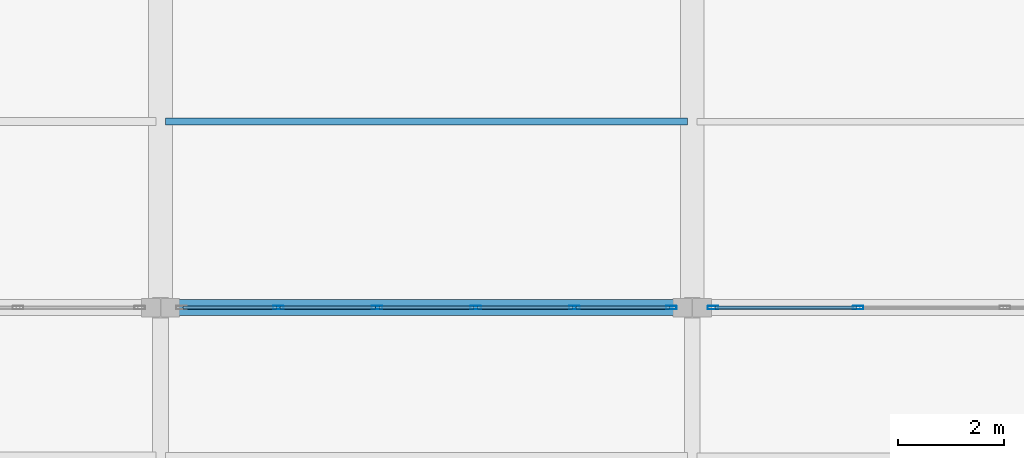
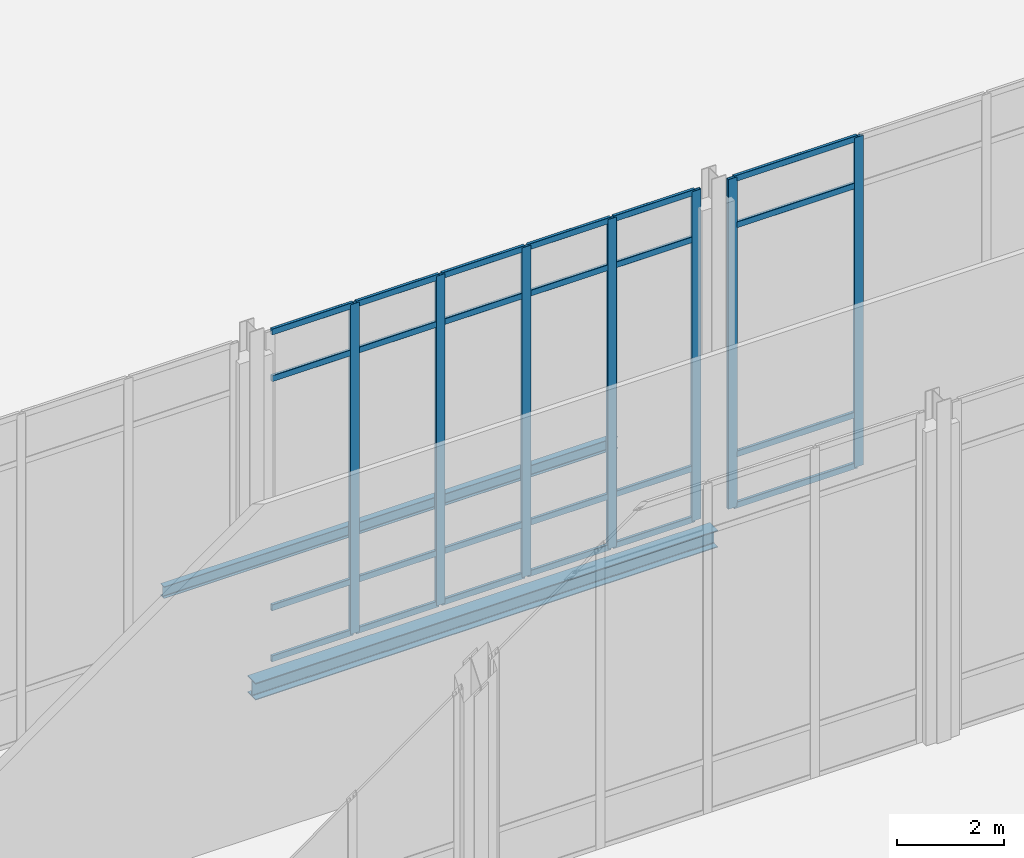
# One storey, part 105 of 176: 31 members, 2 beams, 2 elements without a shape of their own.
"""IFC4 building model written with IfcOpenShell, lengths in metres."""

from ifc_helpers import new_model, si_unit, direction, frame, origin, origin_2d, place, context, subcontext, project, spatial, hollow_rectangle, i_section, extrude, material, layer, layer_set, material_profile, profile_set, type_object, element, aggregate, save


model = new_model("IFC4")

# Units and contexts
model_context = context("Model", 3, precision=1e-05, world=origin(), true_north=direction((0.0, 1.0)))
body_context = subcontext(model_context, "Body", "Model", "MODEL_VIEW")
ifc_project = project(units=[si_unit("LENGTHUNIT", "METRE"), si_unit("AREAUNIT", "SQUARE_METRE"), si_unit("VOLUMEUNIT", "CUBIC_METRE"), si_unit("PLANEANGLEUNIT", "RADIAN"), si_unit("MASSUNIT", "GRAM", prefix="KILO")], contexts=[model_context])

# Site, building, storey
site_placement = place(None, origin())
site = spatial("IfcSite", under=ifc_project, at=site_placement, CompositionType="ELEMENT")
building_placement = place(site_placement, origin())
building = spatial("IfcBuilding", under=site, at=building_placement, Name="Vekula Escarpment Museum", CompositionType="ELEMENT")
storey_placement = place(building_placement, origin())
storey = spatial("IfcBuildingStorey", under=building, at=storey_placement, Name="L01", CompositionType="ELEMENT", Elevation=0.0)

# Beams
ifc_material_1 = material(Name="Steel S355", Category="steel")
ifc_material_profile_1 = material_profile(ifc_material_1, i_section(OverallWidth=0.135009765625, OverallDepth=0.27001953125, WebThickness=0.006591796875, FlangeThickness=0.01025390625, FilletRadius=0.014892578125, at=origin_2d()), Name="IPE 270")
ifc_profile_set_1 = profile_set([ifc_material_profile_1], Name="Steel S355")
beam_type_1 = type_object("IfcBeamType", Name="BM-JST-IPE270", PredefinedType="JOIST", material=ifc_profile_set_1)
beam_1_placement = place(storey_placement, frame((136.090087890625, 79.89990234375, -0.43505859375), z_axis=(1.0, 0.0, 0.0), x_axis=(0.0, 1.0, 0.0)))
element("IfcBeam", 1, at=beam_1_placement, inside=storey, type_object=beam_type_1, Name="Secondary Joist L01 0461", PredefinedType="JOIST", context=body_context, shape_type="SweptSolid", body=[
    extrude(i_section(OverallWidth=0.135009765625, OverallDepth=0.27001953125, WebThickness=0.006591796875, FlangeThickness=0.01025390625, FilletRadius=0.014892578125, at=origin_2d()), origin(), (0.0, 0.0, 1.0), 9.81982421875),
])
ifc_material_2 = material(Name="Steel S355", Category="steel")
ifc_material_profile_2 = material_profile(ifc_material_2, i_section(OverallWidth=0.300048828125, OverallDepth=0.389892578125, WebThickness=0.010986328125, FlangeThickness=0.01904296875, FilletRadius=0.027099609375, at=origin_2d()), Name="HEA 400")
ifc_profile_set_2 = profile_set([ifc_material_profile_2], Name="Steel S355")
beam_type_2 = type_object("IfcBeamType", Name="BM-SPAN-HEA400", PredefinedType="SPANDREL", material=ifc_profile_set_2)
beam_2_placement = place(storey_placement, frame((136.0, 76.39990234375, -0.4951171875), z_axis=(1.0, 0.0, 0.0), x_axis=(0.0, 1.0, 0.0)))
element("IfcBeam", 2, at=beam_2_placement, inside=storey, type_object=beam_type_2, Name="Beam X L01 0223", PredefinedType="SPANDREL", context=body_context, shape_type="SweptSolid", body=[
    extrude(i_section(OverallWidth=0.300048828125, OverallDepth=0.389892578125, WebThickness=0.010986328125, FlangeThickness=0.01904296875, FilletRadius=0.027099609375, at=origin_2d()), origin(), (0.0, 0.0, 1.0), 10.0),
])

# Curtain wall, members
ifc_material_3 = material(Name="Aluminium thermally broken framing", Category="aluminium")
ifc_layer_1 = layer(ifc_material_3, 0.169921875)
ifc_layer_set_1 = layer_set([ifc_layer_1], Name="Aluminium thermally broken framing")
curtain_wall_type_1 = type_object("IfcCurtainWallType", Name="CW-SYS-10", PredefinedType="NOTDEFINED", material=ifc_layer_set_1)
curtain_wall_1_placement = place(storey_placement, origin())
curtain_wall_1 = element("IfcCurtainWall", 3, at=curtain_wall_1_placement, inside=storey, type_object=curtain_wall_type_1, Name="Curtain Wall CW-L01-020", PredefinedType="NOTDEFINED")
ifc_material_4 = material(Name="Aluminium anodized mullion", Category="aluminium")
ifc_material_profile_3 = material_profile(ifc_material_4, hollow_rectangle(XDim=0.06494140625, YDim=0.199951171875, WallThickness=0.00390625, InnerFilletRadius=0.00390625, OuterFilletRadius=0.008056640625, at=origin_2d()), Name="ALU 200x65x4")
ifc_profile_set_3 = profile_set([ifc_material_profile_3], Name="Aluminium anodized mullion")
member_type_1 = type_object("IfcMemberType", Name="CW-MUL-200", PredefinedType="MULLION", material=ifc_profile_set_3)
member_1_placement = place(storey_placement, frame((149.1201171875, 76.39990234375, 0.0), z_axis=(0.0, 0.0, 1.0), x_axis=(0.0, -1.0, 0.0)))
member_1 = element("IfcMember", 4, at=member_1_placement, type_object=member_type_1, Name="CW-10 mullion 3", PredefinedType="MULLION", context=body_context, shape_type="SweptSolid", body=[
    extrude(hollow_rectangle(XDim=0.06494140625, YDim=0.199951171875, WallThickness=0.00390625, InnerFilletRadius=0.00390625, OuterFilletRadius=0.008056640625, at=origin_2d()), origin(), (0.0, 0.0, 1.0), 7.5400390625),
])
member_2_placement = place(storey_placement, frame((146.392578125, 76.39990234375, 0.0), z_axis=(0.0, 0.0, 1.0), x_axis=(0.0, -1.0, 0.0)))
member_2 = element("IfcMember", 5, at=member_2_placement, type_object=member_type_1, Name="CW-10 mullion 4", PredefinedType="MULLION", context=body_context, shape_type="SweptSolid", body=[
    extrude(hollow_rectangle(XDim=0.06494140625, YDim=0.199951171875, WallThickness=0.00390625, InnerFilletRadius=0.00390625, OuterFilletRadius=0.008056640625, at=origin_2d()), origin(), (0.0, 0.0, 1.0), 7.5400390625),
])

ifc_material_5 = material(Name="Aluminium thermally broken framing", Category="aluminium")
ifc_layer_2 = layer(ifc_material_5, 0.159912109375)
ifc_layer_set_2 = layer_set([ifc_layer_2], Name="Aluminium thermally broken framing")
curtain_wall_type_2 = type_object("IfcCurtainWallType", Name="CW-SYS-01", PredefinedType="NOTDEFINED", material=ifc_layer_set_2)
curtain_wall_2_placement = place(storey_placement, origin())
curtain_wall_2 = element("IfcCurtainWall", 6, at=curtain_wall_2_placement, inside=storey, type_object=curtain_wall_type_2, Name="Curtain Wall CW-L01-021", PredefinedType="NOTDEFINED")
member_3_placement = place(storey_placement, frame((145.607421875, 76.39990234375, 0.0), z_axis=(0.0, 0.0, 1.0), x_axis=(0.0, -1.0, 0.0)))
member_3 = element("IfcMember", 7, at=member_3_placement, type_object=member_type_1, Name="CW-01 mullion 1", PredefinedType="MULLION", context=body_context, shape_type="SweptSolid", body=[
    extrude(hollow_rectangle(XDim=0.06494140625, YDim=0.199951171875, WallThickness=0.00390625, InnerFilletRadius=0.00390625, OuterFilletRadius=0.008056640625, at=origin_2d()), origin(), (0.0, 0.0, 1.0), 7.5400390625),
])
member_4_placement = place(storey_placement, frame((143.783935546875, 76.39990234375, 0.0), z_axis=(0.0, 0.0, 1.0), x_axis=(0.0, -1.0, 0.0)))
member_4 = element("IfcMember", 8, at=member_4_placement, type_object=member_type_1, Name="CW-01 mullion 2", PredefinedType="MULLION", context=body_context, shape_type="SweptSolid", body=[
    extrude(hollow_rectangle(XDim=0.06494140625, YDim=0.199951171875, WallThickness=0.00390625, InnerFilletRadius=0.00390625, OuterFilletRadius=0.008056640625, at=origin_2d()), origin(), (0.0, 0.0, 1.0), 7.5400390625),
])
member_5_placement = place(storey_placement, frame((141.927978515625, 76.39990234375, 0.0), z_axis=(0.0, 0.0, 1.0), x_axis=(0.0, -1.0, 0.0)))
member_5 = element("IfcMember", 9, at=member_5_placement, type_object=member_type_1, Name="CW-01 mullion 3", PredefinedType="MULLION", context=body_context, shape_type="SweptSolid", body=[
    extrude(hollow_rectangle(XDim=0.06494140625, YDim=0.199951171875, WallThickness=0.00390625, InnerFilletRadius=0.00390625, OuterFilletRadius=0.008056640625, at=origin_2d()), origin(), (0.0, 0.0, 1.0), 7.5400390625),
])
member_6_placement = place(storey_placement, frame((140.072021484375, 76.39990234375, 0.0), z_axis=(0.0, 0.0, 1.0), x_axis=(0.0, -1.0, 0.0)))
member_6 = element("IfcMember", 10, at=member_6_placement, type_object=member_type_1, Name="CW-01 mullion 4", PredefinedType="MULLION", context=body_context, shape_type="SweptSolid", body=[
    extrude(hollow_rectangle(XDim=0.06494140625, YDim=0.199951171875, WallThickness=0.00390625, InnerFilletRadius=0.00390625, OuterFilletRadius=0.008056640625, at=origin_2d()), origin(), (0.0, 0.0, 1.0), 7.5400390625),
])
member_7_placement = place(storey_placement, frame((138.216064453125, 76.39990234375, 0.0), z_axis=(0.0, 0.0, 1.0), x_axis=(0.0, -1.0, 0.0)))
member_7 = element("IfcMember", 11, at=member_7_placement, type_object=member_type_1, Name="CW-01 mullion 5", PredefinedType="MULLION", context=body_context, shape_type="SweptSolid", body=[
    extrude(hollow_rectangle(XDim=0.06494140625, YDim=0.199951171875, WallThickness=0.00390625, InnerFilletRadius=0.00390625, OuterFilletRadius=0.008056640625, at=origin_2d()), origin(), (0.0, 0.0, 1.0), 7.5400390625),
])

# Member
ifc_material_6 = material(Name="Aluminium anodized transom", Category="aluminium")
ifc_material_profile_4 = material_profile(ifc_material_6, hollow_rectangle(XDim=0.06494140625, YDim=0.139892578125, WallThickness=0.00390625, InnerFilletRadius=0.00390625, OuterFilletRadius=0.008056640625, at=origin_2d()), Name="ALU 140x65x4")
ifc_profile_set_4 = profile_set([ifc_material_profile_4], Name="Aluminium anodized transom")
member_type_2 = type_object("IfcMemberType", Name="CW-TRN-140", PredefinedType="USERDEFINED", material=ifc_profile_set_4)
member_8_placement = place(storey_placement, frame((149.08740234375, 76.39990234375, 0.032470703125), z_axis=(-1.0, 0.0, 0.0), x_axis=(0.0, -1.0, 0.0)))
member_8 = element("IfcMember", 12, at=member_8_placement, type_object=member_type_2, Name="CW-10 transom 3.1", ObjectType="TRANSOM", PredefinedType="USERDEFINED", context=body_context, shape_type="SweptSolid", body=[
    extrude(hollow_rectangle(XDim=0.06494140625, YDim=0.139892578125, WallThickness=0.00390625, InnerFilletRadius=0.00390625, OuterFilletRadius=0.008056640625, at=origin_2d()), origin(), (0.0, 0.0, 1.0), 2.662353515625),
])

member_9_placement = place(storey_placement, frame((149.08740234375, 76.39990234375, 1.199951171875), z_axis=(-1.0, 0.0, 0.0), x_axis=(0.0, -1.0, 0.0)))
member_9 = element("IfcMember", 13, at=member_9_placement, type_object=member_type_2, Name="CW-10 transom 3.2", ObjectType="TRANSOM", PredefinedType="USERDEFINED", context=body_context, shape_type="SweptSolid", body=[
    extrude(hollow_rectangle(XDim=0.06494140625, YDim=0.139892578125, WallThickness=0.00390625, InnerFilletRadius=0.00390625, OuterFilletRadius=0.008056640625, at=origin_2d()), origin(), (0.0, 0.0, 1.0), 2.662353515625),
])

member_10_placement = place(storey_placement, frame((149.08740234375, 76.39990234375, 6.43994140625), z_axis=(-1.0, 0.0, 0.0), x_axis=(0.0, -1.0, 0.0)))
member_10 = element("IfcMember", 14, at=member_10_placement, type_object=member_type_2, Name="CW-10 transom 3.3", ObjectType="TRANSOM", PredefinedType="USERDEFINED", context=body_context, shape_type="SweptSolid", body=[
    extrude(hollow_rectangle(XDim=0.06494140625, YDim=0.139892578125, WallThickness=0.00390625, InnerFilletRadius=0.00390625, OuterFilletRadius=0.008056640625, at=origin_2d()), origin(), (0.0, 0.0, 1.0), 2.662353515625),
])

member_11_placement = place(storey_placement, frame((149.08740234375, 76.39990234375, 7.507568359375), z_axis=(-1.0, 0.0, 0.0), x_axis=(0.0, -1.0, 0.0)))
member_11 = element("IfcMember", 15, at=member_11_placement, type_object=member_type_2, Name="CW-10 transom 3.4", ObjectType="TRANSOM", PredefinedType="USERDEFINED", context=body_context, shape_type="SweptSolid", body=[
    extrude(hollow_rectangle(XDim=0.06494140625, YDim=0.139892578125, WallThickness=0.00390625, InnerFilletRadius=0.00390625, OuterFilletRadius=0.008056640625, at=origin_2d()), origin(), (0.0, 0.0, 1.0), 2.662353515625),
])

aggregate(curtain_wall_1, [member_1, member_2, member_8, member_9, member_10, member_11])

member_12_placement = place(storey_placement, frame((145.574951171875, 76.39990234375, 0.032470703125), z_axis=(-1.0, 0.0, 0.0), x_axis=(0.0, -1.0, 0.0)))
member_12 = element("IfcMember", 16, at=member_12_placement, type_object=member_type_2, Name="CW-01 transom 1.1", ObjectType="TRANSOM", PredefinedType="USERDEFINED", context=body_context, shape_type="SweptSolid", body=[
    extrude(hollow_rectangle(XDim=0.06494140625, YDim=0.139892578125, WallThickness=0.00390625, InnerFilletRadius=0.00390625, OuterFilletRadius=0.008056640625, at=origin_2d()), origin(), (0.0, 0.0, 1.0), 1.758544921875),
])

member_13_placement = place(storey_placement, frame((145.574951171875, 76.39990234375, 1.199951171875), z_axis=(-1.0, 0.0, 0.0), x_axis=(0.0, -1.0, 0.0)))
member_13 = element("IfcMember", 17, at=member_13_placement, type_object=member_type_2, Name="CW-01 transom 1.2", ObjectType="TRANSOM", PredefinedType="USERDEFINED", context=body_context, shape_type="SweptSolid", body=[
    extrude(hollow_rectangle(XDim=0.06494140625, YDim=0.139892578125, WallThickness=0.00390625, InnerFilletRadius=0.00390625, OuterFilletRadius=0.008056640625, at=origin_2d()), origin(), (0.0, 0.0, 1.0), 1.758544921875),
])

member_14_placement = place(storey_placement, frame((145.574951171875, 76.39990234375, 6.43994140625), z_axis=(-1.0, 0.0, 0.0), x_axis=(0.0, -1.0, 0.0)))
member_14 = element("IfcMember", 18, at=member_14_placement, type_object=member_type_2, Name="CW-01 transom 1.3", ObjectType="TRANSOM", PredefinedType="USERDEFINED", context=body_context, shape_type="SweptSolid", body=[
    extrude(hollow_rectangle(XDim=0.06494140625, YDim=0.139892578125, WallThickness=0.00390625, InnerFilletRadius=0.00390625, OuterFilletRadius=0.008056640625, at=origin_2d()), origin(), (0.0, 0.0, 1.0), 1.758544921875),
])

member_15_placement = place(storey_placement, frame((145.574951171875, 76.39990234375, 7.507568359375), z_axis=(-1.0, 0.0, 0.0), x_axis=(0.0, -1.0, 0.0)))
member_15 = element("IfcMember", 19, at=member_15_placement, type_object=member_type_2, Name="CW-01 transom 1.4", ObjectType="TRANSOM", PredefinedType="USERDEFINED", context=body_context, shape_type="SweptSolid", body=[
    extrude(hollow_rectangle(XDim=0.06494140625, YDim=0.139892578125, WallThickness=0.00390625, InnerFilletRadius=0.00390625, OuterFilletRadius=0.008056640625, at=origin_2d()), origin(), (0.0, 0.0, 1.0), 1.758544921875),
])

member_16_placement = place(storey_placement, frame((143.75146484375, 76.39990234375, 0.032470703125), z_axis=(-1.0, 0.0, 0.0), x_axis=(0.0, -1.0, 0.0)))
member_16 = element("IfcMember", 20, at=member_16_placement, type_object=member_type_2, Name="CW-01 transom 2.1", ObjectType="TRANSOM", PredefinedType="USERDEFINED", context=body_context, shape_type="SweptSolid", body=[
    extrude(hollow_rectangle(XDim=0.06494140625, YDim=0.139892578125, WallThickness=0.00390625, InnerFilletRadius=0.00390625, OuterFilletRadius=0.008056640625, at=origin_2d()), origin(), (0.0, 0.0, 1.0), 1.791015625),
])

member_17_placement = place(storey_placement, frame((143.75146484375, 76.39990234375, 1.199951171875), z_axis=(-1.0, 0.0, 0.0), x_axis=(0.0, -1.0, 0.0)))
member_17 = element("IfcMember", 21, at=member_17_placement, type_object=member_type_2, Name="CW-01 transom 2.2", ObjectType="TRANSOM", PredefinedType="USERDEFINED", context=body_context, shape_type="SweptSolid", body=[
    extrude(hollow_rectangle(XDim=0.06494140625, YDim=0.139892578125, WallThickness=0.00390625, InnerFilletRadius=0.00390625, OuterFilletRadius=0.008056640625, at=origin_2d()), origin(), (0.0, 0.0, 1.0), 1.791015625),
])

member_18_placement = place(storey_placement, frame((143.75146484375, 76.39990234375, 6.43994140625), z_axis=(-1.0, 0.0, 0.0), x_axis=(0.0, -1.0, 0.0)))
member_18 = element("IfcMember", 22, at=member_18_placement, type_object=member_type_2, Name="CW-01 transom 2.3", ObjectType="TRANSOM", PredefinedType="USERDEFINED", context=body_context, shape_type="SweptSolid", body=[
    extrude(hollow_rectangle(XDim=0.06494140625, YDim=0.139892578125, WallThickness=0.00390625, InnerFilletRadius=0.00390625, OuterFilletRadius=0.008056640625, at=origin_2d()), origin(), (0.0, 0.0, 1.0), 1.791015625),
])

member_19_placement = place(storey_placement, frame((143.75146484375, 76.39990234375, 7.507568359375), z_axis=(-1.0, 0.0, 0.0), x_axis=(0.0, -1.0, 0.0)))
member_19 = element("IfcMember", 23, at=member_19_placement, type_object=member_type_2, Name="CW-01 transom 2.4", ObjectType="TRANSOM", PredefinedType="USERDEFINED", context=body_context, shape_type="SweptSolid", body=[
    extrude(hollow_rectangle(XDim=0.06494140625, YDim=0.139892578125, WallThickness=0.00390625, InnerFilletRadius=0.00390625, OuterFilletRadius=0.008056640625, at=origin_2d()), origin(), (0.0, 0.0, 1.0), 1.791015625),
])

member_20_placement = place(storey_placement, frame((141.8955078125, 76.39990234375, 0.032470703125), z_axis=(-1.0, 0.0, 0.0), x_axis=(0.0, -1.0, 0.0)))
member_20 = element("IfcMember", 24, at=member_20_placement, type_object=member_type_2, Name="CW-01 transom 3.1", ObjectType="TRANSOM", PredefinedType="USERDEFINED", context=body_context, shape_type="SweptSolid", body=[
    extrude(hollow_rectangle(XDim=0.06494140625, YDim=0.139892578125, WallThickness=0.00390625, InnerFilletRadius=0.00390625, OuterFilletRadius=0.008056640625, at=origin_2d()), origin(), (0.0, 0.0, 1.0), 1.791015625),
])

member_21_placement = place(storey_placement, frame((141.8955078125, 76.39990234375, 1.199951171875), z_axis=(-1.0, 0.0, 0.0), x_axis=(0.0, -1.0, 0.0)))
member_21 = element("IfcMember", 25, at=member_21_placement, type_object=member_type_2, Name="CW-01 transom 3.2", ObjectType="TRANSOM", PredefinedType="USERDEFINED", context=body_context, shape_type="SweptSolid", body=[
    extrude(hollow_rectangle(XDim=0.06494140625, YDim=0.139892578125, WallThickness=0.00390625, InnerFilletRadius=0.00390625, OuterFilletRadius=0.008056640625, at=origin_2d()), origin(), (0.0, 0.0, 1.0), 1.791015625),
])

member_22_placement = place(storey_placement, frame((141.8955078125, 76.39990234375, 6.43994140625), z_axis=(-1.0, 0.0, 0.0), x_axis=(0.0, -1.0, 0.0)))
member_22 = element("IfcMember", 26, at=member_22_placement, type_object=member_type_2, Name="CW-01 transom 3.3", ObjectType="TRANSOM", PredefinedType="USERDEFINED", context=body_context, shape_type="SweptSolid", body=[
    extrude(hollow_rectangle(XDim=0.06494140625, YDim=0.139892578125, WallThickness=0.00390625, InnerFilletRadius=0.00390625, OuterFilletRadius=0.008056640625, at=origin_2d()), origin(), (0.0, 0.0, 1.0), 1.791015625),
])

member_23_placement = place(storey_placement, frame((141.8955078125, 76.39990234375, 7.507568359375), z_axis=(-1.0, 0.0, 0.0), x_axis=(0.0, -1.0, 0.0)))
member_23 = element("IfcMember", 27, at=member_23_placement, type_object=member_type_2, Name="CW-01 transom 3.4", ObjectType="TRANSOM", PredefinedType="USERDEFINED", context=body_context, shape_type="SweptSolid", body=[
    extrude(hollow_rectangle(XDim=0.06494140625, YDim=0.139892578125, WallThickness=0.00390625, InnerFilletRadius=0.00390625, OuterFilletRadius=0.008056640625, at=origin_2d()), origin(), (0.0, 0.0, 1.0), 1.791015625),
])

member_24_placement = place(storey_placement, frame((140.03955078125, 76.39990234375, 0.032470703125), z_axis=(-1.0, 0.0, 0.0), x_axis=(0.0, -1.0, 0.0)))
member_24 = element("IfcMember", 28, at=member_24_placement, type_object=member_type_2, Name="CW-01 transom 4.1", ObjectType="TRANSOM", PredefinedType="USERDEFINED", context=body_context, shape_type="SweptSolid", body=[
    extrude(hollow_rectangle(XDim=0.06494140625, YDim=0.139892578125, WallThickness=0.00390625, InnerFilletRadius=0.00390625, OuterFilletRadius=0.008056640625, at=origin_2d()), origin(), (0.0, 0.0, 1.0), 1.791015625),
])

member_25_placement = place(storey_placement, frame((140.03955078125, 76.39990234375, 1.199951171875), z_axis=(-1.0, 0.0, 0.0), x_axis=(0.0, -1.0, 0.0)))
member_25 = element("IfcMember", 29, at=member_25_placement, type_object=member_type_2, Name="CW-01 transom 4.2", ObjectType="TRANSOM", PredefinedType="USERDEFINED", context=body_context, shape_type="SweptSolid", body=[
    extrude(hollow_rectangle(XDim=0.06494140625, YDim=0.139892578125, WallThickness=0.00390625, InnerFilletRadius=0.00390625, OuterFilletRadius=0.008056640625, at=origin_2d()), origin(), (0.0, 0.0, 1.0), 1.791015625),
])

member_26_placement = place(storey_placement, frame((140.03955078125, 76.39990234375, 6.43994140625), z_axis=(-1.0, 0.0, 0.0), x_axis=(0.0, -1.0, 0.0)))
member_26 = element("IfcMember", 30, at=member_26_placement, type_object=member_type_2, Name="CW-01 transom 4.3", ObjectType="TRANSOM", PredefinedType="USERDEFINED", context=body_context, shape_type="SweptSolid", body=[
    extrude(hollow_rectangle(XDim=0.06494140625, YDim=0.139892578125, WallThickness=0.00390625, InnerFilletRadius=0.00390625, OuterFilletRadius=0.008056640625, at=origin_2d()), origin(), (0.0, 0.0, 1.0), 1.791015625),
])

member_27_placement = place(storey_placement, frame((140.03955078125, 76.39990234375, 7.507568359375), z_axis=(-1.0, 0.0, 0.0), x_axis=(0.0, -1.0, 0.0)))
member_27 = element("IfcMember", 31, at=member_27_placement, type_object=member_type_2, Name="CW-01 transom 4.4", ObjectType="TRANSOM", PredefinedType="USERDEFINED", context=body_context, shape_type="SweptSolid", body=[
    extrude(hollow_rectangle(XDim=0.06494140625, YDim=0.139892578125, WallThickness=0.00390625, InnerFilletRadius=0.00390625, OuterFilletRadius=0.008056640625, at=origin_2d()), origin(), (0.0, 0.0, 1.0), 1.791015625),
])

member_28_placement = place(storey_placement, frame((138.18359375, 76.39990234375, 0.032470703125), z_axis=(-1.0, 0.0, 0.0), x_axis=(0.0, -1.0, 0.0)))
member_28 = element("IfcMember", 32, at=member_28_placement, type_object=member_type_2, Name="CW-01 transom 5.1", ObjectType="TRANSOM", PredefinedType="USERDEFINED", context=body_context, shape_type="SweptSolid", body=[
    extrude(hollow_rectangle(XDim=0.06494140625, YDim=0.139892578125, WallThickness=0.00390625, InnerFilletRadius=0.00390625, OuterFilletRadius=0.008056640625, at=origin_2d()), origin(), (0.0, 0.0, 1.0), 1.758544921875),
])

member_29_placement = place(storey_placement, frame((138.18359375, 76.39990234375, 1.199951171875), z_axis=(-1.0, 0.0, 0.0), x_axis=(0.0, -1.0, 0.0)))
member_29 = element("IfcMember", 33, at=member_29_placement, type_object=member_type_2, Name="CW-01 transom 5.2", ObjectType="TRANSOM", PredefinedType="USERDEFINED", context=body_context, shape_type="SweptSolid", body=[
    extrude(hollow_rectangle(XDim=0.06494140625, YDim=0.139892578125, WallThickness=0.00390625, InnerFilletRadius=0.00390625, OuterFilletRadius=0.008056640625, at=origin_2d()), origin(), (0.0, 0.0, 1.0), 1.758544921875),
])

member_30_placement = place(storey_placement, frame((138.18359375, 76.39990234375, 6.43994140625), z_axis=(-1.0, 0.0, 0.0), x_axis=(0.0, -1.0, 0.0)))
member_30 = element("IfcMember", 34, at=member_30_placement, type_object=member_type_2, Name="CW-01 transom 5.3", ObjectType="TRANSOM", PredefinedType="USERDEFINED", context=body_context, shape_type="SweptSolid", body=[
    extrude(hollow_rectangle(XDim=0.06494140625, YDim=0.139892578125, WallThickness=0.00390625, InnerFilletRadius=0.00390625, OuterFilletRadius=0.008056640625, at=origin_2d()), origin(), (0.0, 0.0, 1.0), 1.758544921875),
])

member_31_placement = place(storey_placement, frame((138.18359375, 76.39990234375, 7.507568359375), z_axis=(-1.0, 0.0, 0.0), x_axis=(0.0, -1.0, 0.0)))
member_31 = element("IfcMember", 35, at=member_31_placement, type_object=member_type_2, Name="CW-01 transom 5.4", ObjectType="TRANSOM", PredefinedType="USERDEFINED", context=body_context, shape_type="SweptSolid", body=[
    extrude(hollow_rectangle(XDim=0.06494140625, YDim=0.139892578125, WallThickness=0.00390625, InnerFilletRadius=0.00390625, OuterFilletRadius=0.008056640625, at=origin_2d()), origin(), (0.0, 0.0, 1.0), 1.758544921875),
])

aggregate(curtain_wall_2, [member_3, member_4, member_5, member_6, member_7, member_12, member_13, member_14, member_15, member_16, member_17, member_18, member_19, member_20, member_21, member_22, member_23, member_24, member_25, member_26, member_27, member_28, member_29, member_30, member_31])

save(model, "model.ifc")
